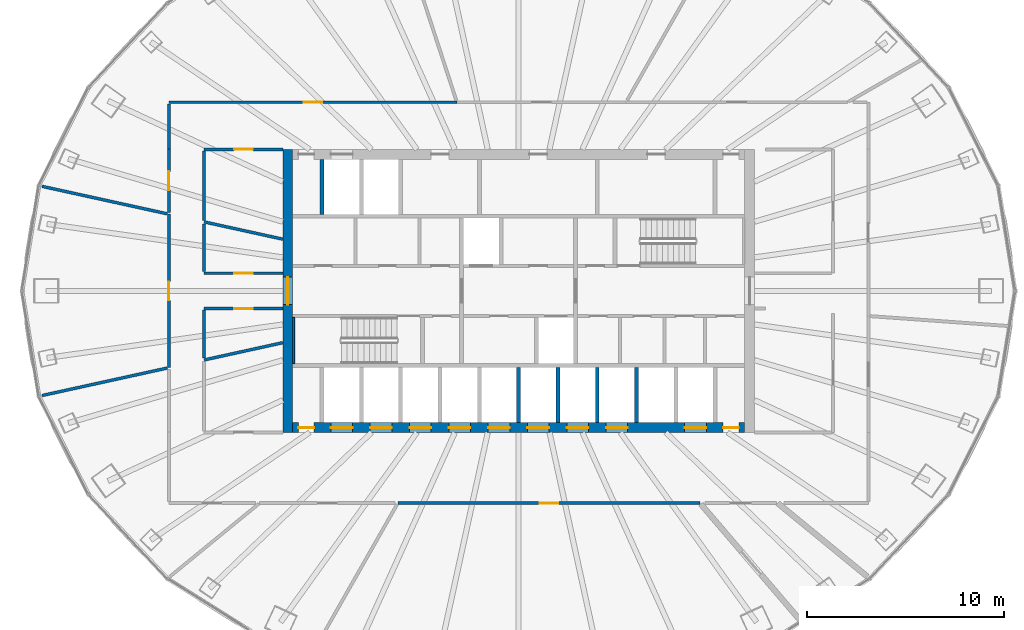
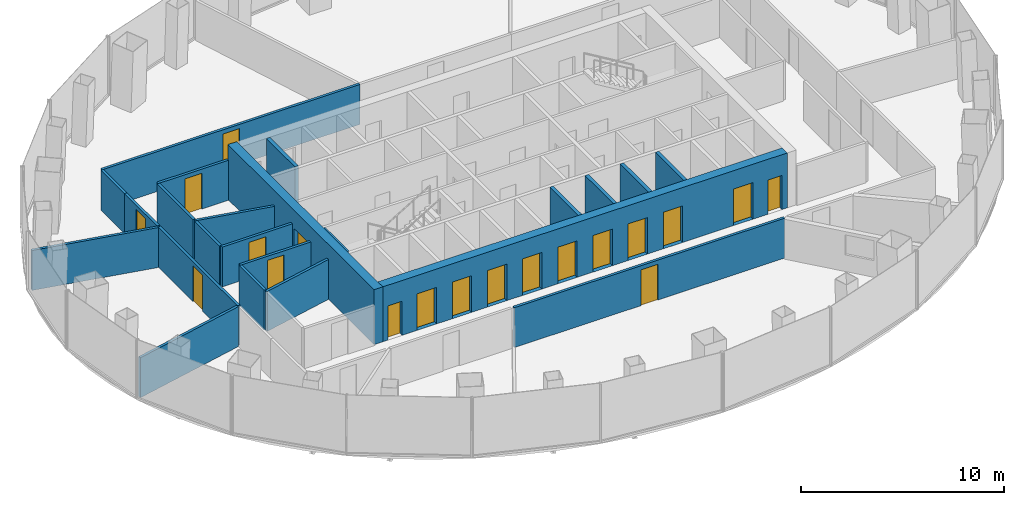
# One storey, part 8 of 11: 23 walls, 19 doors, 19 openings.
"""IFC4 building model written with IfcOpenShell, lengths in metres."""

from ifc_helpers import new_model, si_unit, direction, frame, frame_2d, origin, place, context, subcontext, project, spatial, rectangle, extrude, material, layer, layer_set, type_object, element, fill, save


model = new_model("IFC4")

# Units and contexts
model_context = context("Model", 3, precision=1e-05, world=origin(), true_north=direction((0.0, 1.0)))
body_context = subcontext(model_context, "Body", "Model", "MODEL_VIEW")
ifc_project = project(units=[si_unit("LENGTHUNIT", "METRE"), si_unit("AREAUNIT", "SQUARE_METRE"), si_unit("VOLUMEUNIT", "CUBIC_METRE"), si_unit("PLANEANGLEUNIT", "RADIAN"), si_unit("MASSUNIT", "GRAM", prefix="KILO")], contexts=[model_context])

# Site, building, storey
site_placement = place(None, origin())
site = spatial("IfcSite", under=ifc_project, at=site_placement, CompositionType="ELEMENT")
building_placement = place(site_placement, origin())
building = spatial("IfcBuilding", under=site, at=building_placement, Name="Siaravel Broadcast Tower", CompositionType="ELEMENT")
storey_placement = place(building_placement, frame((0.0, 0.0, 126.699951171875)))
storey = spatial("IfcBuildingStorey", under=building, at=storey_placement, Name="L30", CompositionType="ELEMENT", Elevation=126.699951171875)

# Wall, opening, door
ifc_material_1 = material(Name="Concrete C60/75", Category="concrete")
ifc_layer_1 = layer(ifc_material_1, 0.5)
ifc_layer_set_1 = layer_set([ifc_layer_1], Name="Concrete C60/75")
wall_type_1 = type_object("IfcWallType", Name="Core wall 500", PredefinedType="SHEAR", material=ifc_layer_set_1)
wall_1_placement = place(storey_placement, frame((-11.75, -7.199951171875, 0.0), z_axis=(0.0, 0.0, 1.0), x_axis=(0.0, 1.0, 0.0)))
wall_1 = element("IfcWall", 1, at=wall_1_placement, inside=storey, type_object=wall_type_1, Name="L30 core wall OW", PredefinedType="SHEAR", context=body_context, shape_type="SweptSolid", body=[
    extrude(rectangle(XDim=14.39990234375, YDim=0.5, at=frame_2d((7.199951171875, 0.0))), origin(), (0.0, 0.0, 1.0), 3.300048828125),
])
opening_1_placement = place(wall_1_placement, frame((6.5, 0.0, 0.0)))
opening_1 = element("IfcOpeningElement", 2, at=opening_1_placement, cuts=wall_1, Name="Opening L30-DX-W", PredefinedType="OPENING", context=body_context, shape_type="SweptSolid", body=[
    extrude(rectangle(XDim=1.39990234375, YDim=2.199951171875, at=frame_2d((0.699951171875, 1.10009765625))), frame((0.0, 0.260009765625, 0.0), z_axis=(0.0, -1.0, 0.0), x_axis=(1.0, 0.0, 0.0)), (0.0, 0.0, 1.0), 0.52001953125),
])
ifc_material_2 = material(Name="Steel", Category="steel")
door_type_1 = type_object("IfcDoorType", Name="Core exit door 1400", OperationType="DOUBLE_DOOR_SINGLE_SWING", PredefinedType="DOOR", material=ifc_material_2)
door_1_placement = place(opening_1_placement, origin())
door_1 = element("IfcDoor", 3, at=door_1_placement, inside=storey, type_object=door_type_1, Name="L30 door DX-W", OperationType="DOUBLE_DOOR_SINGLE_SWING", OverallHeight=2.199951171875, OverallWidth=1.39990234375, PredefinedType="DOOR", context=body_context, shape_type="SweptSolid", body=[
    extrude(rectangle(XDim=1.39990234375, YDim=2.199951171875, at=frame_2d((0.699951171875, 1.10009765625))), frame((0.0, 0.02490234375, 0.0), z_axis=(0.0, -1.0, 0.0), x_axis=(1.0, 0.0, 0.0)), (0.0, 0.0, 1.0), 0.050048828125),
])
fill(opening_1, door_1)

# Wall, openings, doors
wall_2_placement = place(storey_placement, frame((-11.5, -6.949951171875, 0.0), z_axis=(0.0, 0.0, 1.0), x_axis=(1.0, 0.0, 0.0)))
wall_2 = element("IfcWall", 4, at=wall_2_placement, inside=storey, type_object=wall_type_1, Name="L30 core wall OS", PredefinedType="SHEAR", context=body_context, shape_type="SweptSolid", body=[
    extrude(rectangle(XDim=23.0, YDim=0.5, at=frame_2d((11.5, 0.0))), origin(), (0.0, 0.0, 1.0), 3.300048828125),
])
opening_2_placement = place(wall_2_placement, frame((1.949951171875, 0.0, 0.0)))
opening_2 = element("IfcOpeningElement", 5, at=opening_2_placement, cuts=wall_2, Name="Opening LD-LP1-L30", PredefinedType="OPENING", context=body_context, shape_type="SweptSolid", body=[
    extrude(rectangle(XDim=1.10009765625, YDim=2.199951171875, at=frame_2d((0.550048828125, 1.10009765625))), frame((0.0, 0.260009765625, 0.0), z_axis=(0.0, -1.0, 0.0), x_axis=(1.0, 0.0, 0.0)), (0.0, 0.0, 1.0), 0.52001953125),
])
opening_3_placement = place(wall_2_placement, frame((3.949951171875, 0.0, 0.0)))
opening_3 = element("IfcOpeningElement", 6, at=opening_3_placement, cuts=wall_2, Name="Opening LD-LP2-L30", PredefinedType="OPENING", context=body_context, shape_type="SweptSolid", body=[
    extrude(rectangle(XDim=1.10009765625, YDim=2.199951171875, at=frame_2d((0.550048828125, 1.10009765625))), frame((0.0, 0.260009765625, 0.0), z_axis=(0.0, -1.0, 0.0), x_axis=(1.0, 0.0, 0.0)), (0.0, 0.0, 1.0), 0.52001953125),
])
opening_4_placement = place(wall_2_placement, frame((5.949951171875, 0.0, 0.0)))
opening_4 = element("IfcOpeningElement", 7, at=opening_4_placement, cuts=wall_2, Name="Opening LD-LP3-L30", PredefinedType="OPENING", context=body_context, shape_type="SweptSolid", body=[
    extrude(rectangle(XDim=1.10009765625, YDim=2.199951171875, at=frame_2d((0.550048828125, 1.10009765625))), frame((0.0, 0.260009765625, 0.0), z_axis=(0.0, -1.0, 0.0), x_axis=(1.0, 0.0, 0.0)), (0.0, 0.0, 1.0), 0.52001953125),
])
opening_5_placement = place(wall_2_placement, frame((7.949951171875, 0.0, 0.0)))
opening_5 = element("IfcOpeningElement", 8, at=opening_5_placement, cuts=wall_2, Name="Opening LD-LP4-L30", PredefinedType="OPENING", context=body_context, shape_type="SweptSolid", body=[
    extrude(rectangle(XDim=1.10009765625, YDim=2.199951171875, at=frame_2d((0.550048828125, 1.10009765625))), frame((0.0, 0.260009765625, 0.0), z_axis=(0.0, -1.0, 0.0), x_axis=(1.0, 0.0, 0.0)), (0.0, 0.0, 1.0), 0.52001953125),
])
opening_6_placement = place(wall_2_placement, frame((9.949951171875, 0.0, 0.0)))
opening_6 = element("IfcOpeningElement", 9, at=opening_6_placement, cuts=wall_2, Name="Opening LD-LP5-L30", PredefinedType="OPENING", context=body_context, shape_type="SweptSolid", body=[
    extrude(rectangle(XDim=1.10009765625, YDim=2.199951171875, at=frame_2d((0.550048828125, 1.10009765625))), frame((0.0, 0.260009765625, 0.0), z_axis=(0.0, -1.0, 0.0), x_axis=(1.0, 0.0, 0.0)), (0.0, 0.0, 1.0), 0.52001953125),
])
opening_7_placement = place(wall_2_placement, frame((11.949951171875, 0.0, 0.0)))
opening_7 = element("IfcOpeningElement", 10, at=opening_7_placement, cuts=wall_2, Name="Opening LD-LP6-L30", PredefinedType="OPENING", context=body_context, shape_type="SweptSolid", body=[
    extrude(rectangle(XDim=1.10009765625, YDim=2.199951171875, at=frame_2d((0.550048828125, 1.10009765625))), frame((0.0, 0.260009765625, 0.0), z_axis=(0.0, -1.0, 0.0), x_axis=(1.0, 0.0, 0.0)), (0.0, 0.0, 1.0), 0.52001953125),
])
opening_8_placement = place(wall_2_placement, frame((13.949951171875, 0.0, 0.0)))
opening_8 = element("IfcOpeningElement", 11, at=opening_8_placement, cuts=wall_2, Name="Opening LD-LP7-L30", PredefinedType="OPENING", context=body_context, shape_type="SweptSolid", body=[
    extrude(rectangle(XDim=1.10009765625, YDim=2.199951171875, at=frame_2d((0.550048828125, 1.10009765625))), frame((0.0, 0.260009765625, 0.0), z_axis=(0.0, -1.0, 0.0), x_axis=(1.0, 0.0, 0.0)), (0.0, 0.0, 1.0), 0.52001953125),
])
opening_9_placement = place(wall_2_placement, frame((15.949951171875, 0.0, 0.0)))
opening_9 = element("IfcOpeningElement", 12, at=opening_9_placement, cuts=wall_2, Name="Opening LD-LP8-L30", PredefinedType="OPENING", context=body_context, shape_type="SweptSolid", body=[
    extrude(rectangle(XDim=1.10009765625, YDim=2.199951171875, at=frame_2d((0.550048828125, 1.10009765625))), frame((0.0, 0.260009765625, 0.0), z_axis=(0.0, -1.0, 0.0), x_axis=(1.0, 0.0, 0.0)), (0.0, 0.0, 1.0), 0.52001953125),
])
opening_10_placement = place(wall_2_placement, frame((19.949951171875, 0.0, 0.0)))
opening_10 = element("IfcOpeningElement", 13, at=opening_10_placement, cuts=wall_2, Name="Opening LD-SV1-L30", PredefinedType="OPENING", context=body_context, shape_type="SweptSolid", body=[
    extrude(rectangle(XDim=1.10009765625, YDim=2.199951171875, at=frame_2d((0.550048828125, 1.10009765625))), frame((0.0, 0.260009765625, 0.0), z_axis=(0.0, -1.0, 0.0), x_axis=(1.0, 0.0, 0.0)), (0.0, 0.0, 1.0), 0.52001953125),
])
opening_11_placement = place(wall_2_placement, frame((0.300048828125, 0.0, 0.0)))
opening_11 = element("IfcOpeningElement", 14, at=opening_11_placement, cuts=wall_2, Name="Opening L30-DRSW", PredefinedType="OPENING", context=body_context, shape_type="SweptSolid", body=[
    extrude(rectangle(XDim=0.800048828125, YDim=2.050048828125, at=frame_2d((0.39990234375, 1.02490234375))), frame((0.0, 0.260009765625, 0.0), z_axis=(0.0, -1.0, 0.0), x_axis=(1.0, 0.0, 0.0)), (0.0, 0.0, 1.0), 0.52001953125),
])
opening_12_placement = place(wall_2_placement, frame((21.89990234375, 0.0, 0.0)))
opening_12 = element("IfcOpeningElement", 15, at=opening_12_placement, cuts=wall_2, Name="Opening L30-DRSE", PredefinedType="OPENING", context=body_context, shape_type="SweptSolid", body=[
    extrude(rectangle(XDim=0.800048828125, YDim=2.050048828125, at=frame_2d((0.39990234375, 1.02490234375))), frame((0.0, 0.260009765625, 0.0), z_axis=(0.0, -1.0, 0.0), x_axis=(1.0, 0.0, 0.0)), (0.0, 0.0, 1.0), 0.52001953125),
])
ifc_material_3 = material(Name="Stainless steel 316L", Category="steel")
door_type_2 = type_object("IfcDoorType", Name="Lift landing door 1100", OperationType="DOUBLE_DOOR_SLIDING", PredefinedType="DOOR", material=ifc_material_3)
door_2_placement = place(opening_2_placement, origin())
door_2 = element("IfcDoor", 16, at=door_2_placement, inside=storey, type_object=door_type_2, Name="Landing door LP1 L30", OperationType="DOUBLE_DOOR_SLIDING", OverallHeight=2.199951171875, OverallWidth=1.10009765625, PredefinedType="DOOR", context=body_context, shape_type="SweptSolid", body=[
    extrude(rectangle(XDim=1.10009765625, YDim=2.199951171875, at=frame_2d((0.550048828125, 1.10009765625))), frame((0.0, 0.02490234375, 0.0), z_axis=(0.0, -1.0, 0.0), x_axis=(1.0, 0.0, 0.0)), (0.0, 0.0, 1.0), 0.050048828125),
])
fill(opening_2, door_2)
door_3_placement = place(opening_3_placement, origin())
door_3 = element("IfcDoor", 17, at=door_3_placement, inside=storey, type_object=door_type_2, Name="Landing door LP2 L30", OperationType="DOUBLE_DOOR_SLIDING", OverallHeight=2.199951171875, OverallWidth=1.10009765625, PredefinedType="DOOR", context=body_context, shape_type="SweptSolid", body=[
    extrude(rectangle(XDim=1.10009765625, YDim=2.199951171875, at=frame_2d((0.550048828125, 1.10009765625))), frame((0.0, 0.02490234375, 0.0), z_axis=(0.0, -1.0, 0.0), x_axis=(1.0, 0.0, 0.0)), (0.0, 0.0, 1.0), 0.050048828125),
])
fill(opening_3, door_3)
door_4_placement = place(opening_4_placement, origin())
door_4 = element("IfcDoor", 18, at=door_4_placement, inside=storey, type_object=door_type_2, Name="Landing door LP3 L30", OperationType="DOUBLE_DOOR_SLIDING", OverallHeight=2.199951171875, OverallWidth=1.10009765625, PredefinedType="DOOR", context=body_context, shape_type="SweptSolid", body=[
    extrude(rectangle(XDim=1.10009765625, YDim=2.199951171875, at=frame_2d((0.550048828125, 1.10009765625))), frame((0.0, 0.02490234375, 0.0), z_axis=(0.0, -1.0, 0.0), x_axis=(1.0, 0.0, 0.0)), (0.0, 0.0, 1.0), 0.050048828125),
])
fill(opening_4, door_4)
door_5_placement = place(opening_5_placement, origin())
door_5 = element("IfcDoor", 19, at=door_5_placement, inside=storey, type_object=door_type_2, Name="Landing door LP4 L30", OperationType="DOUBLE_DOOR_SLIDING", OverallHeight=2.199951171875, OverallWidth=1.10009765625, PredefinedType="DOOR", context=body_context, shape_type="SweptSolid", body=[
    extrude(rectangle(XDim=1.10009765625, YDim=2.199951171875, at=frame_2d((0.550048828125, 1.10009765625))), frame((0.0, 0.02490234375, 0.0), z_axis=(0.0, -1.0, 0.0), x_axis=(1.0, 0.0, 0.0)), (0.0, 0.0, 1.0), 0.050048828125),
])
fill(opening_5, door_5)
door_6_placement = place(opening_6_placement, origin())
door_6 = element("IfcDoor", 20, at=door_6_placement, inside=storey, type_object=door_type_2, Name="Landing door LP5 L30", OperationType="DOUBLE_DOOR_SLIDING", OverallHeight=2.199951171875, OverallWidth=1.10009765625, PredefinedType="DOOR", context=body_context, shape_type="SweptSolid", body=[
    extrude(rectangle(XDim=1.10009765625, YDim=2.199951171875, at=frame_2d((0.550048828125, 1.10009765625))), frame((0.0, 0.02490234375, 0.0), z_axis=(0.0, -1.0, 0.0), x_axis=(1.0, 0.0, 0.0)), (0.0, 0.0, 1.0), 0.050048828125),
])
fill(opening_6, door_6)
door_7_placement = place(opening_7_placement, origin())
door_7 = element("IfcDoor", 21, at=door_7_placement, inside=storey, type_object=door_type_2, Name="Landing door LP6 L30", OperationType="DOUBLE_DOOR_SLIDING", OverallHeight=2.199951171875, OverallWidth=1.10009765625, PredefinedType="DOOR", context=body_context, shape_type="SweptSolid", body=[
    extrude(rectangle(XDim=1.10009765625, YDim=2.199951171875, at=frame_2d((0.550048828125, 1.10009765625))), frame((0.0, 0.02490234375, 0.0), z_axis=(0.0, -1.0, 0.0), x_axis=(1.0, 0.0, 0.0)), (0.0, 0.0, 1.0), 0.050048828125),
])
fill(opening_7, door_7)
door_8_placement = place(opening_8_placement, origin())
door_8 = element("IfcDoor", 22, at=door_8_placement, inside=storey, type_object=door_type_2, Name="Landing door LP7 L30", OperationType="DOUBLE_DOOR_SLIDING", OverallHeight=2.199951171875, OverallWidth=1.10009765625, PredefinedType="DOOR", context=body_context, shape_type="SweptSolid", body=[
    extrude(rectangle(XDim=1.10009765625, YDim=2.199951171875, at=frame_2d((0.550048828125, 1.10009765625))), frame((0.0, 0.02490234375, 0.0), z_axis=(0.0, -1.0, 0.0), x_axis=(1.0, 0.0, 0.0)), (0.0, 0.0, 1.0), 0.050048828125),
])
fill(opening_8, door_8)
door_9_placement = place(opening_9_placement, origin())
door_9 = element("IfcDoor", 23, at=door_9_placement, inside=storey, type_object=door_type_2, Name="Landing door LP8 L30", OperationType="DOUBLE_DOOR_SLIDING", OverallHeight=2.199951171875, OverallWidth=1.10009765625, PredefinedType="DOOR", context=body_context, shape_type="SweptSolid", body=[
    extrude(rectangle(XDim=1.10009765625, YDim=2.199951171875, at=frame_2d((0.550048828125, 1.10009765625))), frame((0.0, 0.02490234375, 0.0), z_axis=(0.0, -1.0, 0.0), x_axis=(1.0, 0.0, 0.0)), (0.0, 0.0, 1.0), 0.050048828125),
])
fill(opening_9, door_9)
door_type_3 = type_object("IfcDoorType", Name="Riser door 800", OperationType="SINGLE_SWING_LEFT", PredefinedType="DOOR", material=ifc_material_2)
door_10_placement = place(opening_11_placement, origin())
door_10 = element("IfcDoor", 24, at=door_10_placement, inside=storey, type_object=door_type_3, Name="L30 door DRSW", OperationType="SINGLE_SWING_LEFT", OverallHeight=2.050048828125, OverallWidth=0.800048828125, PredefinedType="DOOR", context=body_context, shape_type="SweptSolid", body=[
    extrude(rectangle(XDim=0.800048828125, YDim=2.050048828125, at=frame_2d((0.39990234375, 1.02490234375))), frame((0.0, 0.02490234375, 0.0), z_axis=(0.0, -1.0, 0.0), x_axis=(1.0, 0.0, 0.0)), (0.0, 0.0, 1.0), 0.050048828125),
])
fill(opening_11, door_10)
door_11_placement = place(opening_12_placement, origin())
door_11 = element("IfcDoor", 25, at=door_11_placement, inside=storey, type_object=door_type_3, Name="L30 door DRSE", OperationType="SINGLE_SWING_LEFT", OverallHeight=2.050048828125, OverallWidth=0.800048828125, PredefinedType="DOOR", context=body_context, shape_type="SweptSolid", body=[
    extrude(rectangle(XDim=0.800048828125, YDim=2.050048828125, at=frame_2d((0.39990234375, 1.02490234375))), frame((0.0, 0.02490234375, 0.0), z_axis=(0.0, -1.0, 0.0), x_axis=(1.0, 0.0, 0.0)), (0.0, 0.0, 1.0), 0.050048828125),
])
fill(opening_12, door_11)
door_type_4 = type_object("IfcDoorType", Name="Service lift landing door 1100", OperationType="DOUBLE_DOOR_SLIDING", PredefinedType="DOOR", material=ifc_material_3)
door_12_placement = place(opening_10_placement, origin())
door_12 = element("IfcDoor", 26, at=door_12_placement, inside=storey, type_object=door_type_4, Name="Landing door SV1 L30", OperationType="DOUBLE_DOOR_SLIDING", OverallHeight=2.199951171875, OverallWidth=1.10009765625, PredefinedType="DOOR", context=body_context, shape_type="SweptSolid", body=[
    extrude(rectangle(XDim=1.10009765625, YDim=2.199951171875, at=frame_2d((0.550048828125, 1.10009765625))), frame((0.0, 0.02490234375, 0.0), z_axis=(0.0, -1.0, 0.0), x_axis=(1.0, 0.0, 0.0)), (0.0, 0.0, 1.0), 0.050048828125),
])
fill(opening_10, door_12)

# Wall, opening, door
ifc_material_4 = material(Name="Gypsum board partition", Category="gypsum")
ifc_layer_2 = layer(ifc_material_4, 0.14990234375)
ifc_layer_set_2 = layer_set([ifc_layer_2], Name="Gypsum board partition")
wall_type_2 = type_object("IfcWallType", Name="Corridor wall 150", PredefinedType="PARTITIONING", material=ifc_layer_set_2)
wall_3_placement = place(storey_placement, frame((-6.148193359375, -10.800048828125, 0.0), z_axis=(0.0, 0.0, 1.0), x_axis=(1.0, 0.0, 0.0)))
wall_3 = element("IfcWall", 27, at=wall_3_placement, inside=storey, type_object=wall_type_2, Name="L30 partition 1", PredefinedType="PARTITIONING", context=body_context, shape_type="SweptSolid", body=[
    extrude(rectangle(XDim=15.38037109375, YDim=0.14990234375, at=frame_2d((7.690185546875, 0.0))), origin(), (0.0, 0.0, 1.0), 2.400146484375),
])
opening_13_placement = place(wall_3_placement, frame((7.215087890625, 0.0, 0.0)))
opening_13 = element("IfcOpeningElement", 28, at=opening_13_placement, cuts=wall_3, Name="Opening L30-016", PredefinedType="OPENING", context=body_context, shape_type="SweptSolid", body=[
    extrude(rectangle(XDim=0.949951171875, YDim=2.14990234375, at=frame_2d((0.47509765625, 1.074951171875))), frame((0.0, 0.0849609375, 0.0), z_axis=(0.0, -1.0, 0.0), x_axis=(1.0, 0.0, 0.0)), (0.0, 0.0, 1.0), 0.169921875),
])
ifc_material_5 = material(Name="Timber veneer", Category="wood")
door_type_5 = type_object("IfcDoorType", Name="Office door 950", OperationType="SINGLE_SWING_LEFT", PredefinedType="DOOR", material=ifc_material_5)
door_13_placement = place(opening_13_placement, origin())
door_13 = element("IfcDoor", 29, at=door_13_placement, inside=storey, type_object=door_type_5, Name="L30 door to Design studio", OperationType="SINGLE_SWING_RIGHT", OverallHeight=2.14990234375, OverallWidth=0.949951171875, PredefinedType="DOOR", context=body_context, shape_type="SweptSolid", body=[
    extrude(rectangle(XDim=0.949951171875, YDim=2.14990234375, at=frame_2d((0.47509765625, 1.074951171875))), frame((0.0, 0.02490234375, 0.0), z_axis=(0.0, -1.0, 0.0), x_axis=(1.0, 0.0, 0.0)), (0.0, 0.0, 1.0), 0.050048828125),
])
fill(opening_13, door_13)

wall_4_placement = place(storey_placement, frame((-3.140380859375, 9.60009765625, 0.0), z_axis=(0.0, 0.0, 1.0), x_axis=(-1.0, 0.0, 0.0)))
wall_4 = element("IfcWall", 30, at=wall_4_placement, inside=storey, type_object=wall_type_2, Name="L30 partition 2", PredefinedType="PARTITIONING", context=body_context, shape_type="SweptSolid", body=[
    extrude(rectangle(XDim=14.65966796875, YDim=0.14990234375, at=frame_2d((7.329833984375, 0.0))), origin(), (0.0, 0.0, 1.0), 2.400146484375),
])
opening_14_placement = place(wall_4_placement, frame((6.854736328125, 0.0, 0.0)))
opening_14 = element("IfcOpeningElement", 31, at=opening_14_placement, cuts=wall_4, Name="Opening L30-008", PredefinedType="OPENING", context=body_context, shape_type="SweptSolid", body=[
    extrude(rectangle(XDim=0.949951171875, YDim=2.14990234375, at=frame_2d((0.47509765625, 1.074951171875))), frame((0.0, 0.0849609375, 0.0), z_axis=(0.0, -1.0, 0.0), x_axis=(1.0, 0.0, 0.0)), (0.0, 0.0, 1.0), 0.169921875),
])
door_14_placement = place(opening_14_placement, origin())
door_14 = element("IfcDoor", 32, at=door_14_placement, inside=storey, type_object=door_type_5, Name="L30 door to Design studio", OperationType="SINGLE_SWING_RIGHT", OverallHeight=2.14990234375, OverallWidth=0.949951171875, PredefinedType="DOOR", context=body_context, shape_type="SweptSolid", body=[
    extrude(rectangle(XDim=0.949951171875, YDim=2.14990234375, at=frame_2d((0.47509765625, 1.074951171875))), frame((0.0, 0.02490234375, 0.0), z_axis=(0.0, -1.0, 0.0), x_axis=(1.0, 0.0, 0.0)), (0.0, 0.0, 1.0), 0.050048828125),
])
fill(opening_14, door_14)

wall_5_placement = place(storey_placement, frame((-17.800048828125, 3.90673828125, 0.0), z_axis=(0.0, 0.0, 1.0), x_axis=(0.0, -1.0, 0.0)))
wall_5 = element("IfcWall", 33, at=wall_5_placement, inside=storey, type_object=wall_type_2, Name="L30 partition 10", PredefinedType="PARTITIONING", context=body_context, shape_type="SweptSolid", body=[
    extrude(rectangle(XDim=7.8134765625, YDim=0.14990234375, at=frame_2d((3.90673828125, 0.0))), origin(), (0.0, 0.0, 1.0), 2.400146484375),
])
opening_15_placement = place(wall_5_placement, frame((3.431640625, 0.0, 0.0)))
opening_15 = element("IfcOpeningElement", 34, at=opening_15_placement, cuts=wall_5, Name="Opening L30-010", PredefinedType="OPENING", context=body_context, shape_type="SweptSolid", body=[
    extrude(rectangle(XDim=0.949951171875, YDim=2.14990234375, at=frame_2d((0.47509765625, 1.074951171875))), frame((0.0, 0.0849609375, 0.0), z_axis=(0.0, -1.0, 0.0), x_axis=(1.0, 0.0, 0.0)), (0.0, 0.0, 1.0), 0.169921875),
])
door_15_placement = place(opening_15_placement, origin())
door_15 = element("IfcDoor", 35, at=door_15_placement, inside=storey, type_object=door_type_5, Name="L30 door to Design studio", OperationType="SINGLE_SWING_RIGHT", OverallHeight=2.14990234375, OverallWidth=0.949951171875, PredefinedType="DOOR", context=body_context, shape_type="SweptSolid", body=[
    extrude(rectangle(XDim=0.949951171875, YDim=2.14990234375, at=frame_2d((0.47509765625, 1.074951171875))), frame((0.0, 0.02490234375, 0.0), z_axis=(0.0, -1.0, 0.0), x_axis=(1.0, 0.0, 0.0)), (0.0, 0.0, 1.0), 0.050048828125),
])
fill(opening_15, door_15)

wall_6_placement = place(storey_placement, frame((-16.0, -0.89990234375, 0.0), z_axis=(0.0, 0.0, 1.0), x_axis=(1.0, 0.0, 0.0)))
wall_6 = element("IfcWall", 36, at=wall_6_placement, inside=storey, type_object=wall_type_2, Name="L30 partition 25", PredefinedType="PARTITIONING", context=body_context, shape_type="SweptSolid", body=[
    extrude(rectangle(XDim=4.0, YDim=0.14990234375, at=frame_2d((2.0, 0.0))), origin(), (0.0, 0.0, 1.0), 2.400146484375),
])
opening_16_placement = place(wall_6_placement, frame((1.52490234375, 0.0, 0.0)))
opening_16 = element("IfcOpeningElement", 37, at=opening_16_placement, cuts=wall_6, Name="Opening L30-011", PredefinedType="OPENING", context=body_context, shape_type="SweptSolid", body=[
    extrude(rectangle(XDim=0.949951171875, YDim=2.14990234375, at=frame_2d((0.47509765625, 1.074951171875))), frame((0.0, 0.0849609375, 0.0), z_axis=(0.0, -1.0, 0.0), x_axis=(1.0, 0.0, 0.0)), (0.0, 0.0, 1.0), 0.169921875),
])
door_16_placement = place(opening_16_placement, origin())
door_16 = element("IfcDoor", 38, at=door_16_placement, inside=storey, type_object=door_type_5, Name="L30 door to Design studio", OperationType="SINGLE_SWING_LEFT", OverallHeight=2.14990234375, OverallWidth=0.949951171875, PredefinedType="DOOR", context=body_context, shape_type="SweptSolid", body=[
    extrude(rectangle(XDim=0.949951171875, YDim=2.14990234375, at=frame_2d((0.47509765625, 1.074951171875))), frame((0.0, 0.02490234375, 0.0), z_axis=(0.0, -1.0, 0.0), x_axis=(1.0, 0.0, 0.0)), (0.0, 0.0, 1.0), 0.050048828125),
])
fill(opening_16, door_16)

wall_7_placement = place(storey_placement, frame((-16.0, 7.199951171875, 0.0), z_axis=(0.0, 0.0, 1.0), x_axis=(1.0, 0.0, 0.0)))
wall_7 = element("IfcWall", 39, at=wall_7_placement, inside=storey, type_object=wall_type_2, Name="L30 partition 26", PredefinedType="PARTITIONING", context=body_context, shape_type="SweptSolid", body=[
    extrude(rectangle(XDim=4.0, YDim=0.14990234375, at=frame_2d((2.0, 0.0))), origin(), (0.0, 0.0, 1.0), 2.400146484375),
])
opening_17_placement = place(wall_7_placement, frame((1.52490234375, 0.0, 0.0)))
opening_17 = element("IfcOpeningElement", 40, at=opening_17_placement, cuts=wall_7, Name="Opening L30-007", PredefinedType="OPENING", context=body_context, shape_type="SweptSolid", body=[
    extrude(rectangle(XDim=0.949951171875, YDim=2.14990234375, at=frame_2d((0.47509765625, 1.074951171875))), frame((0.0, 0.0849609375, 0.0), z_axis=(0.0, -1.0, 0.0), x_axis=(1.0, 0.0, 0.0)), (0.0, 0.0, 1.0), 0.169921875),
])
door_17_placement = place(opening_17_placement, origin())
door_17 = element("IfcDoor", 41, at=door_17_placement, inside=storey, type_object=door_type_5, Name="L30 door to Design studio", OperationType="SINGLE_SWING_LEFT", OverallHeight=2.14990234375, OverallWidth=0.949951171875, PredefinedType="DOOR", context=body_context, shape_type="SweptSolid", body=[
    extrude(rectangle(XDim=0.949951171875, YDim=2.14990234375, at=frame_2d((0.47509765625, 1.074951171875))), frame((0.0, 0.02490234375, 0.0), z_axis=(0.0, -1.0, 0.0), x_axis=(1.0, 0.0, 0.0)), (0.0, 0.0, 1.0), 0.050048828125),
])
fill(opening_17, door_17)

wall_8_placement = place(storey_placement, frame((-12.0, 0.89990234375, 0.0), z_axis=(0.0, 0.0, 1.0), x_axis=(-1.0, 0.0, 0.0)))
wall_8 = element("IfcWall", 42, at=wall_8_placement, inside=storey, type_object=wall_type_2, Name="L30 partition 28", PredefinedType="PARTITIONING", context=body_context, shape_type="SweptSolid", body=[
    extrude(rectangle(XDim=4.0, YDim=0.14990234375, at=frame_2d((2.0, 0.0))), origin(), (0.0, 0.0, 1.0), 2.400146484375),
])
opening_18_placement = place(wall_8_placement, frame((1.52490234375, 0.0, 0.0)))
opening_18 = element("IfcOpeningElement", 43, at=opening_18_placement, cuts=wall_8, Name="Opening L30-012", PredefinedType="OPENING", context=body_context, shape_type="SweptSolid", body=[
    extrude(rectangle(XDim=0.949951171875, YDim=2.14990234375, at=frame_2d((0.47509765625, 1.074951171875))), frame((0.0, 0.0849609375, 0.0), z_axis=(0.0, -1.0, 0.0), x_axis=(1.0, 0.0, 0.0)), (0.0, 0.0, 1.0), 0.169921875),
])
door_18_placement = place(opening_18_placement, origin())
door_18 = element("IfcDoor", 44, at=door_18_placement, inside=storey, type_object=door_type_5, Name="L30 door to Design studio", OperationType="SINGLE_SWING_RIGHT", OverallHeight=2.14990234375, OverallWidth=0.949951171875, PredefinedType="DOOR", context=body_context, shape_type="SweptSolid", body=[
    extrude(rectangle(XDim=0.949951171875, YDim=2.14990234375, at=frame_2d((0.47509765625, 1.074951171875))), frame((0.0, 0.02490234375, 0.0), z_axis=(0.0, -1.0, 0.0), x_axis=(1.0, 0.0, 0.0)), (0.0, 0.0, 1.0), 0.050048828125),
])
fill(opening_18, door_18)

# Wall
wall_9_placement = place(storey_placement, frame((-16.0, 3.5869140625, 0.0), z_axis=(0.0, 0.0, 1.0), x_axis=(0.0, 1.0, 0.0)))
element("IfcWall", 45, at=wall_9_placement, inside=storey, type_object=wall_type_2, Name="L30 partition 33", PredefinedType="PARTITIONING", context=body_context, shape_type="SweptSolid", body=[
    extrude(rectangle(XDim=3.5361328125, YDim=0.14990234375, at=frame_2d((1.76806640625, 0.0))), origin(), (0.0, 0.0, 1.0), 2.400146484375),
])

# Wall, opening, door
wall_10_placement = place(storey_placement, frame((-17.800048828125, 7.2119140625, 0.0), z_axis=(0.0, 0.0, 1.0), x_axis=(0.0, -1.0, 0.0)))
wall_10 = element("IfcWall", 46, at=wall_10_placement, inside=storey, type_object=wall_type_2, Name="L30 partition 38", PredefinedType="PARTITIONING", context=body_context, shape_type="SweptSolid", body=[
    extrude(rectangle(XDim=3.2099609375, YDim=0.14990234375, at=frame_2d((1.60498046875, 0.0))), origin(), (0.0, 0.0, 1.0), 2.400146484375),
])
opening_19_placement = place(wall_10_placement, frame((1.1298828125, 0.0, 0.0)))
opening_19 = element("IfcOpeningElement", 47, at=opening_19_placement, cuts=wall_10, Name="Opening L30-009", PredefinedType="OPENING", context=body_context, shape_type="SweptSolid", body=[
    extrude(rectangle(XDim=0.949951171875, YDim=2.14990234375, at=frame_2d((0.47509765625, 1.074951171875))), frame((0.0, 0.0849609375, 0.0), z_axis=(0.0, -1.0, 0.0), x_axis=(1.0, 0.0, 0.0)), (0.0, 0.0, 1.0), 0.169921875),
])
door_19_placement = place(opening_19_placement, origin())
door_19 = element("IfcDoor", 48, at=door_19_placement, inside=storey, type_object=door_type_5, Name="L30 door to Design studio", OperationType="SINGLE_SWING_LEFT", OverallHeight=2.14990234375, OverallWidth=0.949951171875, PredefinedType="DOOR", context=body_context, shape_type="SweptSolid", body=[
    extrude(rectangle(XDim=0.949951171875, YDim=2.14990234375, at=frame_2d((0.47509765625, 1.074951171875))), frame((0.0, 0.02490234375, 0.0), z_axis=(0.0, -1.0, 0.0), x_axis=(1.0, 0.0, 0.0)), (0.0, 0.0, 1.0), 0.050048828125),
])
fill(opening_19, door_19)

# Walls
for number, where, z_axis, x_axis, name in (
    (49, (-16.0, -3.41650390625, 0.0), (0.0, 0.0, 1.0), (0.0, 1.0, 0.0), "L30 partition 39"),
    (50, (-16.0, 0.97705078125, 0.0), (0.0, 0.0, 1.0), (0.0, 1.0, 0.0), "L30 partition 40"),
):
    element("IfcWall", number, at=place(storey_placement, frame(where, z_axis=z_axis, x_axis=x_axis)), inside=storey, type_object=wall_type_2, Name=name, PredefinedType="PARTITIONING", context=body_context, shape_type="SweptSolid", body=[
        extrude(rectangle(XDim=2.439453125, YDim=0.14990234375, at=frame_2d((1.2197265625, 0.0))), origin(), (0.0, 0.0, 1.0), 2.400146484375),
    ])
wall_11_placement = place(storey_placement, frame((-17.800048828125, 9.52294921875, 0.0), z_axis=(0.0, 0.0, 1.0), x_axis=(0.0, -1.0, 0.0)))
element("IfcWall", 51, at=wall_11_placement, inside=storey, type_object=wall_type_2, Name="L30 partition 41", PredefinedType="PARTITIONING", context=body_context, shape_type="SweptSolid", body=[
    extrude(rectangle(XDim=2.31005859375, YDim=0.14990234375, at=frame_2d((1.155029296875, 0.0))), origin(), (0.0, 0.0, 1.0), 2.400146484375),
])
ifc_layer_3 = layer(ifc_material_4, 0.14990234375)
ifc_layer_set_3 = layer_set([ifc_layer_3], Name="Gypsum board partition")
wall_type_3 = type_object("IfcWallType", Name="Room partition 150", PredefinedType="PARTITIONING", material=ifc_layer_set_3)
wall_12_placement = place(storey_placement, frame((-24.24462890625, 5.3212890625, 0.0), z_axis=(0.0, 0.0, 1.0), x_axis=(0.976747402, -0.21439336, 0.0)))
element("IfcWall", 52, at=wall_12_placement, inside=storey, type_object=wall_type_3, Name="L30 partition 13", PredefinedType="PARTITIONING", context=body_context, shape_type="SweptSolid", body=[
    extrude(rectangle(XDim=6.522705078125, YDim=0.14990234375, at=frame_2d((3.26123046875, 0.0))), origin(), (0.0, 0.0, 1.0), 2.400146484375),
])
wall_13_placement = place(storey_placement, frame((-24.243408203125, -5.32080078125, 0.0), z_axis=(0.0, 0.0, 1.0), x_axis=(0.976754477, 0.214361126, 0.0)))
element("IfcWall", 53, at=wall_13_placement, inside=storey, type_object=wall_type_3, Name="L30 partition 14", PredefinedType="PARTITIONING", context=body_context, shape_type="SweptSolid", body=[
    extrude(rectangle(XDim=6.521484375, YDim=0.14990234375, at=frame_2d((3.2607421875, 0.0))), origin(), (0.0, 0.0, 1.0), 2.400146484375),
])
for number, where, z_axis, x_axis, name in (
    (54, (-16.0, -3.51171875, 0.0), (0.0, 0.0, 1.0), (0.976750433, 0.214379551, 0.0), "L30 partition 23"),
    (55, (-16.0, 3.51171875, 0.0), (0.0, 0.0, 1.0), (0.976750433, -0.214379551, 0.0), "L30 partition 24"),
):
    element("IfcWall", number, at=place(storey_placement, frame(where, z_axis=z_axis, x_axis=x_axis)), inside=storey, type_object=wall_type_3, Name=name, PredefinedType="PARTITIONING", context=body_context, shape_type="SweptSolid", body=[
        extrude(rectangle(XDim=4.09521484375, YDim=0.14990234375, at=frame_2d((2.047607421875, 0.0))), origin(), (0.0, 0.0, 1.0), 2.400146484375),
    ])
ifc_layer_4 = layer(ifc_material_1, 0.10009765625)
ifc_layer_set_4 = layer_set([ifc_layer_4], Name="Concrete C60/75")
wall_type_4 = type_object("IfcWallType", Name="Shaft wall 100", PredefinedType="SHEAR", material=ifc_layer_set_4)
wall_14_placement = place(storey_placement, frame((-11.449951171875, -3.699951171875, 0.0), z_axis=(0.0, 0.0, 1.0), x_axis=(0.0, 1.0, 0.0)))
element("IfcWall", 56, at=wall_14_placement, inside=storey, type_object=wall_type_4, Name="L30 core wall ST1W", PredefinedType="SHEAR", context=body_context, shape_type="SweptSolid", body=[
    extrude(rectangle(XDim=2.349853515625, YDim=0.10009765625, at=frame_2d((1.1748046875, 0.0))), origin(), (0.0, 0.0, 1.0), 3.300048828125),
])
ifc_layer_5 = layer(ifc_material_1, 0.199951171875)
ifc_layer_set_5 = layer_set([ifc_layer_5], Name="Concrete C60/75")
wall_type_5 = type_object("IfcWallType", Name="Shaft wall 200", PredefinedType="SHEAR", material=ifc_layer_set_5)
for number, where, z_axis, x_axis, name in (
    (57, (0.0, -6.699951171875, 0.0), (0.0, 0.0, 1.0), (0.0, 1.0, 0.0), "L30 core wall SWS5"),
    (58, (2.0, -6.699951171875, 0.0), (0.0, 0.0, 1.0), (0.0, 1.0, 0.0), "L30 core wall SWS6"),
    (59, (4.0, -6.699951171875, 0.0), (0.0, 0.0, 1.0), (0.0, 1.0, 0.0), "L30 core wall SWS7"),
    (60, (6.0, -6.699951171875, 0.0), (0.0, 0.0, 1.0), (0.0, 1.0, 0.0), "L30 core wall SWS8"),
    (61, (-10.0, 3.89990234375, 0.0), (0.0, 0.0, 1.0), (0.0, 1.0, 0.0), "L30 core wall SWN0"),
):
    element("IfcWall", number, at=place(storey_placement, frame(where, z_axis=z_axis, x_axis=x_axis)), inside=storey, type_object=wall_type_5, Name=name, PredefinedType="SHEAR", context=body_context, shape_type="SweptSolid", body=[
        extrude(rectangle(XDim=2.800048828125, YDim=0.199951171875, at=frame_2d((1.39990234375, 0.0))), origin(), (0.0, 0.0, 1.0), 3.300048828125),
    ])

save(model, "model.ifc")
